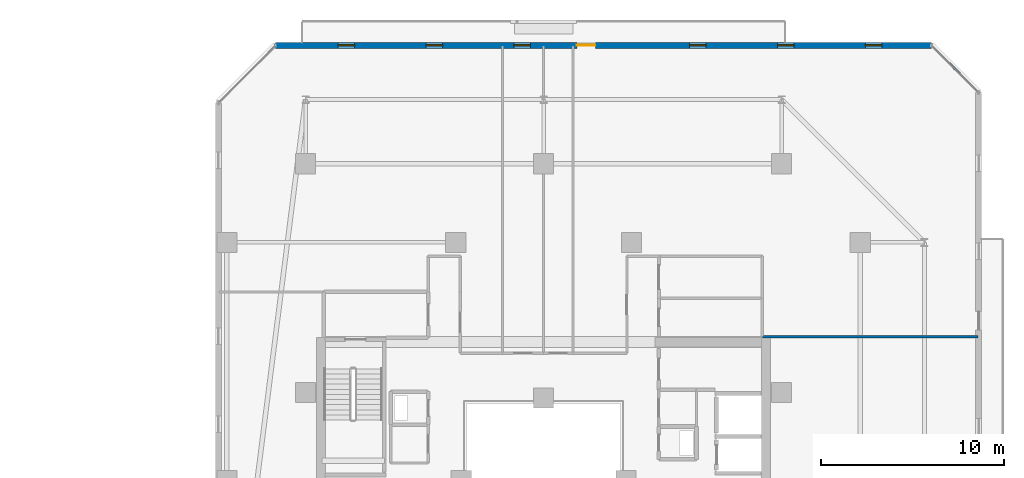
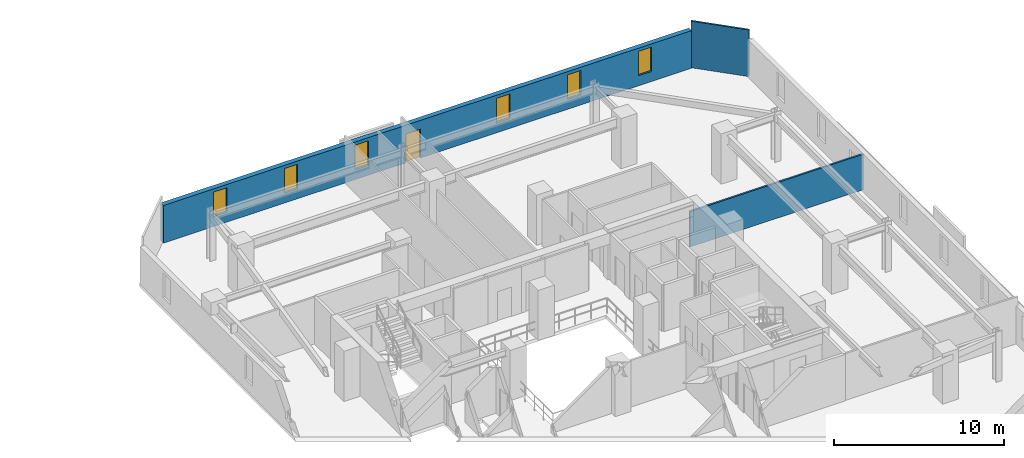
# One storey, part 26 of 33: 6 windows, 3 walls, 1 door, 7 openings.
"""IFC4 building model written with IfcOpenShell, lengths in metres."""

import ifcopenshell
import ifcopenshell.guid

model = None  # the IFC model being written
_history = None  # IfcOwnerHistory: only IFC2X3 demands one
_inside = {}  # id of a spatial element -> (the spatial element, [elements in it])
_under = {}  # id of a project, library or spatial element -> (it, [spatial elements below it])
_declared = {}  # id of a project -> (the project, [libraries it declares])
_typed = {}  # id of a type object -> (the type object, [elements of that type])
_made_of = {}  # id of a material, layer set ... -> (it, [elements and type objects made of it])


def new_model(schema):
    """Start an empty IFC model of exactly this schema.

    Asked for "IFC4X3", IfcOpenShell would pick the latest addendum, in which some entities
    have other attributes; the version numbers below select the first issue.
    IFC2X3 requires an IfcOwnerHistory on every rooted entity: one is made here for all.
    """
    global model, _history
    if schema == "IFC4X3":
        model = ifcopenshell.file(schema_version=(4, 3, 0, 0))
    else:
        model = ifcopenshell.file(schema=schema)
    _inside.clear()
    _under.clear()
    _declared.clear()
    _typed.clear()
    _made_of.clear()
    _history = None
    if model.schema == "IFC2X3":
        org = make("IfcOrganization", Name="unknown")
        user = make(
            "IfcPersonAndOrganization",
            ThePerson=make("IfcPerson", FamilyName="unknown"),
            TheOrganization=org,
        )
        app = make(
            "IfcApplication",
            ApplicationDeveloper=org,
            Version="unknown",
            ApplicationFullName="unknown",
            ApplicationIdentifier="unknown",
        )
        _history = make(
            "IfcOwnerHistory",
            OwningUser=user,
            OwningApplication=app,
            ChangeAction="ADDED",
            CreationDate=0,
        )
    return model


def make(cls, **values):
    """One entity of the class cls with the attributes given. An attribute that is None is left unset."""
    return model.create_entity(
        cls, **{name: value for name, value in values.items() if value is not None}
    )


def rooted(cls, **values):
    """An entity with a GlobalId (a new one), such as an element, a storey or a relation."""
    return make(cls, GlobalId=ifcopenshell.guid.new(), OwnerHistory=_history, **values)


def si_unit(unit_type, name, prefix=None):
    """IfcSIUnit, for example si_unit("LENGTHUNIT", "METRE", prefix="MILLI")."""
    return make("IfcSIUnit", UnitType=unit_type, Prefix=prefix, Name=name)


def assignment(units):
    """IfcUnitAssignment: the units of a project."""
    return None if units is None else make("IfcUnitAssignment", Units=units)


def point(xyz):
    """IfcCartesianPoint."""
    return None if xyz is None else make("IfcCartesianPoint", Coordinates=xyz)


def direction(xyz):
    """IfcDirection."""
    return None if xyz is None else make("IfcDirection", DirectionRatios=xyz)


def frame(location, z_axis=None, x_axis=None):
    """IfcAxis2Placement3D, a coordinate frame: its origin and axes. An axis left out is left unset."""
    return make(
        "IfcAxis2Placement3D",
        Location=point(location),
        Axis=direction(z_axis),
        RefDirection=direction(x_axis),
    )


def frame_2d(location, x_axis=None):
    """IfcAxis2Placement2D, a coordinate frame in the plane: its origin and x axis."""
    return make(
        "IfcAxis2Placement2D", Location=point(location), RefDirection=direction(x_axis)
    )


def origin():
    """The frame at (0, 0, 0) with its axes left unset."""
    return frame((0.0, 0.0, 0.0))


def place(relative_to, where):
    """IfcLocalPlacement: puts the frame where relative to a parent placement (None: the world)."""
    return make(
        "IfcLocalPlacement", PlacementRelTo=relative_to, RelativePlacement=where
    )


def context(
    kind, dimensions, precision=None, world=None, true_north=None, identifier=None
):
    """IfcGeometricRepresentationContext, for example the 3D "Model" context."""
    return make(
        "IfcGeometricRepresentationContext",
        ContextIdentifier=identifier,
        ContextType=kind,
        CoordinateSpaceDimension=dimensions,
        Precision=precision,
        WorldCoordinateSystem=world,
        TrueNorth=true_north,
    )


def subcontext(parent, identifier, kind, view, scale=None):
    """IfcGeometricRepresentationSubContext, for example "Body" below "Model"."""
    return make(
        "IfcGeometricRepresentationSubContext",
        ContextIdentifier=identifier,
        ContextType=kind,
        ParentContext=parent,
        TargetScale=scale,
        TargetView=view,
    )


def project(units=None, contexts=None):
    """IfcProject with its units and contexts."""
    return rooted(
        "IfcProject",
        Name="project",
        RepresentationContexts=contexts,
        UnitsInContext=assignment(units),
    )


def spatial(cls, under=None, at=None, **own):
    """A site, building, storey or space (cls), placed at a placement, below another one or the project."""
    s = rooted(cls, ObjectPlacement=at, **own)
    if under is not None:
        _under.setdefault(under.id(), (under, []))[1].append(s)
    return s


def profile(cls, at=None, kind="AREA", **sizes):
    """A parametric profile (cls). Its sizes go by their IFC names, for example OverallWidth=200.0."""
    return make(cls, ProfileType=kind, Position=at, **sizes)


def rectangle(**sizes):
    """IfcRectangleProfileDef."""
    return profile("IfcRectangleProfileDef", **sizes)


def extrude(swept, where, along, depth):
    """IfcExtrudedAreaSolid: the profile swept, set in the frame where, extruded along a direction by depth."""
    return make(
        "IfcExtrudedAreaSolid",
        SweptArea=swept,
        Position=where,
        ExtrudedDirection=direction(along),
        Depth=depth,
    )


def shape(context_of_items, identifier, shape_type, items):
    """IfcShapeRepresentation: the items that make up one representation, for example the "Body"."""
    return make(
        "IfcShapeRepresentation",
        ContextOfItems=context_of_items,
        RepresentationIdentifier=identifier,
        RepresentationType=shape_type,
        Items=items,
    )


def material(Name=None, Category=None):
    """IfcMaterial."""
    return make("IfcMaterial", Name=Name, Category=Category)


def layer(
    of_material, thickness, ventilated=None, Name=None, Category=None, Priority=None
):
    """IfcMaterialLayer: one layer of a wall or slab, of a material (None: an air gap)."""
    return make(
        "IfcMaterialLayer",
        Material=of_material,
        LayerThickness=thickness,
        IsVentilated=ventilated,
        Name=Name,
        Category=Category,
        Priority=Priority,
    )


def layer_set(layers, Name=None):
    """IfcMaterialLayerSet."""
    return make("IfcMaterialLayerSet", MaterialLayers=layers, LayerSetName=Name)


def made_of(thing, what):
    """Note that an element or type object is made of a material, layer set ...; save() writes the relation."""
    if what is not None:
        _made_of.setdefault(what.id(), (what, []))[1].append(thing)
    return thing


def type_object(cls, material=None, **own):
    """A type object (cls), such as IfcWallType, which elements share."""
    return made_of(rooted(cls, **own), material)


def element(
    cls,
    number,
    at=None,
    inside=None,
    cuts=None,
    type_object=None,
    material=None,
    context=None,
    identifier="Body",
    shape_type=None,
    held_by="IfcProductDefinitionShape",
    body=None,
    shapes=None,
    **own,
):
    """One element of the class cls, such as IfcWall. Its Tag is "e" and its number.

    at: its placement. inside: the storey or other place that contains it. cuts: it is an
    opening in that element (IfcRelVoidsElement). A single representation is given by context,
    identifier, shape_type and body (its items); several are given by shapes. held_by: the class
    of the entity that holds the representations. save() writes the other relations.
    """
    e = rooted(cls, Tag="e%d" % number, ObjectPlacement=at, **own)
    if body is not None:
        shapes = [shape(context, identifier, shape_type, body)]
    if shapes is not None:
        e.Representation = make(held_by, Representations=shapes)
    if inside is not None:
        _inside.setdefault(inside.id(), (inside, []))[1].append(e)
    if cuts is not None:
        rooted(
            "IfcRelVoidsElement", RelatingBuildingElement=cuts, RelatedOpeningElement=e
        )
    if type_object is not None:
        _typed.setdefault(type_object.id(), (type_object, []))[1].append(e)
    return made_of(e, material)


def fill(opening, filler):
    """IfcRelFillsElement: the door or window that sits in an opening."""
    return rooted(
        "IfcRelFillsElement",
        RelatingOpeningElement=opening,
        RelatedBuildingElement=filler,
    )


def aggregate(whole, parts):
    """IfcRelAggregates: a whole, such as a stair, and the parts it consists of."""
    return rooted("IfcRelAggregates", RelatingObject=whole, RelatedObjects=parts)


def save(model, path):
    """Write the relations noted so far, then the file.

    IfcRelAggregates (storeys below a building ...), IfcRelContainedInSpatialStructure (elements
    in a storey), IfcRelDefinesByType, IfcRelAssociatesMaterial and IfcRelDeclares: one each for
    every whole, place, type object, material and project.
    """
    for whole, parts in _under.values():
        aggregate(whole, parts)
    for where, things in _inside.values():
        rooted(
            "IfcRelContainedInSpatialStructure",
            RelatedElements=things,
            RelatingStructure=where,
        )
    for kind, things in _typed.values():
        rooted("IfcRelDefinesByType", RelatedObjects=things, RelatingType=kind)
    for what, things in _made_of.values():
        rooted("IfcRelAssociatesMaterial", RelatedObjects=things, RelatingMaterial=what)
    for by, libraries in _declared.values():
        rooted("IfcRelDeclares", RelatingContext=by, RelatedDefinitions=libraries)
    model.write(path)


model = new_model("IFC4")

# Units and contexts
model_context = context("Model", 3, precision=1e-05, world=origin(), true_north=direction((0.0, 1.0)))
body_context = subcontext(model_context, "Body", "Model", "MODEL_VIEW")
ifc_project = project(units=[si_unit("LENGTHUNIT", "METRE"), si_unit("AREAUNIT", "SQUARE_METRE"), si_unit("VOLUMEUNIT", "CUBIC_METRE"), si_unit("PLANEANGLEUNIT", "RADIAN"), si_unit("MASSUNIT", "GRAM", prefix="KILO")], contexts=[model_context])

# Site, building, storey
site_placement = place(None, origin())
site = spatial("IfcSite", under=ifc_project, at=site_placement, CompositionType="ELEMENT")
building_placement = place(site_placement, origin())
building = spatial("IfcBuilding", under=site, at=building_placement, Name="Thornwick Lancets Civic Towers", CompositionType="ELEMENT")
storey_placement = place(building_placement, frame((0.0, 0.0, 163.5)))
storey = spatial("IfcBuildingStorey", under=building, at=storey_placement, Name="L43", CompositionType="ELEMENT", Elevation=163.5)

# Wall, openings, door, windows
ifc_material_1 = material(Name="Insulated buff terracotta rainscreen on concrete C40/50", Category="masonry")
ifc_layer_1 = layer(ifc_material_1, 0.320068359375, Name="Insulated buff terracotta rainscreen on concrete C40/50")
ifc_layer_set_1 = layer_set([ifc_layer_1], Name="Insulated buff terracotta rainscreen on concrete C40/50")
wall_type_1 = type_object("IfcWallType", Name="WALL_EXT_TERRA_320", PredefinedType="STANDARD", material=ifc_layer_set_1)
wall_1_placement = place(storey_placement, frame((109.681396484375, 50.7646484375, 0.0), z_axis=(0.0, 0.0, 1.0), x_axis=(-0.999999998513, -5.4540124e-05, 0.0)))
wall_1 = element("IfcWall", 1, at=wall_1_placement, inside=storey, type_object=wall_type_1, Name="L43 Tower B Terracotta Facade Wall E4", PredefinedType="STANDARD", context=body_context, shape_type="SweptSolid", body=[
    extrude(rectangle(XDim=35.810791015625, YDim=0.320068359375, at=frame_2d((17.9052734375, 0.0))), origin(), (0.0, 0.0, 1.0), 2.699951171875),
])
opening_1_placement = place(wall_1_placement, frame((18.35546875, 0.0, 0.0)))
opening_1 = element("IfcOpeningElement", 2, at=opening_1_placement, cuts=wall_1, Name="Opening D-BL-L43-BN", PredefinedType="OPENING", context=body_context, shape_type="SweptSolid", body=[
    extrude(rectangle(XDim=1.0, YDim=2.080078125, at=frame_2d((0.5, 1.0400390625))), frame((0.0, 0.169921875, 0.0), z_axis=(0.0, -1.0, 0.0), x_axis=(1.0, 0.0, 0.0)), (0.0, 0.0, 1.0), 0.340087890625),
])
opening_2_placement = place(wall_1_placement, frame((2.699951171875, 0.0, 0.719970703125)))
opening_2 = element("IfcOpeningElement", 3, at=opening_2_placement, cuts=wall_1, Name="Opening WL-01", PredefinedType="OPENING", context=body_context, shape_type="SweptSolid", body=[
    extrude(rectangle(XDim=0.89990234375, YDim=1.75, at=frame_2d((0.449951171875, 0.875))), frame((0.0, 0.169921875, 0.0), z_axis=(0.0, -1.0, 0.0), x_axis=(1.0, 0.0, 0.0)), (0.0, 0.0, 1.0), 0.340087890625),
])
opening_3_placement = place(wall_1_placement, frame((7.5, 0.0, 0.719970703125)))
opening_3 = element("IfcOpeningElement", 4, at=opening_3_placement, cuts=wall_1, Name="Opening WL-01", PredefinedType="OPENING", context=body_context, shape_type="SweptSolid", body=[
    extrude(rectangle(XDim=0.89990234375, YDim=1.75, at=frame_2d((0.449951171875, 0.875))), frame((0.0, 0.169921875, 0.0), z_axis=(0.0, -1.0, 0.0), x_axis=(1.0, 0.0, 0.0)), (0.0, 0.0, 1.0), 0.340087890625),
])
opening_4_placement = place(wall_1_placement, frame((12.300048828125, 0.0, 0.719970703125)))
opening_4 = element("IfcOpeningElement", 5, at=opening_4_placement, cuts=wall_1, Name="Opening WL-01", PredefinedType="OPENING", context=body_context, shape_type="SweptSolid", body=[
    extrude(rectangle(XDim=0.89990234375, YDim=1.75, at=frame_2d((0.449951171875, 0.875))), frame((0.0, 0.169921875, 0.0), z_axis=(0.0, -1.0, 0.0), x_axis=(1.0, 0.0, 0.0)), (0.0, 0.0, 1.0), 0.340087890625),
])
opening_5_placement = place(wall_1_placement, frame((21.89990234375, 0.0, 0.719970703125)))
opening_5 = element("IfcOpeningElement", 6, at=opening_5_placement, cuts=wall_1, Name="Opening WL-01", PredefinedType="OPENING", context=body_context, shape_type="SweptSolid", body=[
    extrude(rectangle(XDim=0.89990234375, YDim=1.75, at=frame_2d((0.449951171875, 0.875))), frame((0.0, 0.169921875, 0.0), z_axis=(0.0, -1.0, 0.0), x_axis=(1.0, 0.0, 0.0)), (0.0, 0.0, 1.0), 0.340087890625),
])
opening_6_placement = place(wall_1_placement, frame((26.699951171875, 0.0, 0.719970703125)))
opening_6 = element("IfcOpeningElement", 7, at=opening_6_placement, cuts=wall_1, Name="Opening WL-01", PredefinedType="OPENING", context=body_context, shape_type="SweptSolid", body=[
    extrude(rectangle(XDim=0.89990234375, YDim=1.75, at=frame_2d((0.449951171875, 0.875))), frame((0.0, 0.169921875, 0.0), z_axis=(0.0, -1.0, 0.0), x_axis=(1.0, 0.0, 0.0)), (0.0, 0.0, 1.0), 0.340087890625),
])
opening_7_placement = place(wall_1_placement, frame((31.5, 0.0, 0.719970703125)))
opening_7 = element("IfcOpeningElement", 8, at=opening_7_placement, cuts=wall_1, Name="Opening WL-01", PredefinedType="OPENING", context=body_context, shape_type="SweptSolid", body=[
    extrude(rectangle(XDim=0.89990234375, YDim=1.75, at=frame_2d((0.449951171875, 0.875))), frame((0.0, 0.169921875, 0.0), z_axis=(0.0, -1.0, 0.0), x_axis=(1.0, 0.0, 0.0)), (0.0, 0.0, 1.0), 0.340087890625),
])
ifc_material_2 = material(Name="Thermally broken glazed loggia doorset")
door_type = type_object("IfcDoorType", Name="DOOR_BALC_1000", OperationType="NOTDEFINED", PredefinedType="DOOR", material=ifc_material_2)
door_placement = place(opening_1_placement, origin())
door = element("IfcDoor", 9, at=door_placement, inside=storey, type_object=door_type, Name="L43 Tower B Loggia Balcony Door N", OperationType="SINGLE_SWING_RIGHT", OverallHeight=2.080078125, OverallWidth=1.0, PredefinedType="DOOR", context=body_context, shape_type="SweptSolid", body=[
    extrude(rectangle(XDim=1.0, YDim=2.080078125, at=frame_2d((0.5, 1.0400390625))), frame((0.0, 0.02490234375, 0.0), z_axis=(0.0, -1.0, 0.0), x_axis=(1.0, 0.0, 0.0)), (0.0, 0.0, 1.0), 0.050048828125),
])
fill(opening_1, door)
ifc_material_3 = material(Name="Clear low-e double glazing in bronze frame", Category="glass")
window_type = type_object("IfcWindowType", Name="WIN_LANCET_900", PartitioningType="SINGLE_PANEL", PredefinedType="WINDOW", material=ifc_material_3)
window_1_placement = place(opening_2_placement, origin())
window_1 = element("IfcWindow", 10, at=window_1_placement, inside=storey, type_object=window_type, Name="L43 Tower B Staggered Lancet Window E4-1", OverallHeight=1.75, OverallWidth=0.89990234375, PartitioningType="SINGLE_PANEL", PredefinedType="WINDOW", context=body_context, shape_type="SweptSolid", body=[
    extrude(rectangle(XDim=0.89990234375, YDim=1.75, at=frame_2d((0.449951171875, 0.875))), frame((0.0, 0.030029296875, 0.0), z_axis=(0.0, -1.0, 0.0), x_axis=(1.0, 0.0, 0.0)), (0.0, 0.0, 1.0), 0.06005859375),
])
fill(opening_2, window_1)
window_2_placement = place(opening_3_placement, origin())
window_2 = element("IfcWindow", 11, at=window_2_placement, inside=storey, type_object=window_type, Name="L43 Tower B Staggered Lancet Window E4-2", OverallHeight=1.75, OverallWidth=0.89990234375, PartitioningType="SINGLE_PANEL", PredefinedType="WINDOW", context=body_context, shape_type="SweptSolid", body=[
    extrude(rectangle(XDim=0.89990234375, YDim=1.75, at=frame_2d((0.449951171875, 0.875))), frame((0.0, 0.030029296875, 0.0), z_axis=(0.0, -1.0, 0.0), x_axis=(1.0, 0.0, 0.0)), (0.0, 0.0, 1.0), 0.06005859375),
])
fill(opening_3, window_2)
window_3_placement = place(opening_4_placement, origin())
window_3 = element("IfcWindow", 12, at=window_3_placement, inside=storey, type_object=window_type, Name="L43 Tower B Staggered Lancet Window E4-3", OverallHeight=1.75, OverallWidth=0.89990234375, PartitioningType="SINGLE_PANEL", PredefinedType="WINDOW", context=body_context, shape_type="SweptSolid", body=[
    extrude(rectangle(XDim=0.89990234375, YDim=1.75, at=frame_2d((0.449951171875, 0.875))), frame((0.0, 0.030029296875, 0.0), z_axis=(0.0, -1.0, 0.0), x_axis=(1.0, 0.0, 0.0)), (0.0, 0.0, 1.0), 0.06005859375),
])
fill(opening_4, window_3)
window_4_placement = place(opening_5_placement, origin())
window_4 = element("IfcWindow", 13, at=window_4_placement, inside=storey, type_object=window_type, Name="L43 Tower B Staggered Lancet Window E4-4", OverallHeight=1.75, OverallWidth=0.89990234375, PartitioningType="SINGLE_PANEL", PredefinedType="WINDOW", context=body_context, shape_type="SweptSolid", body=[
    extrude(rectangle(XDim=0.89990234375, YDim=1.75, at=frame_2d((0.449951171875, 0.875))), frame((0.0, 0.030029296875, 0.0), z_axis=(0.0, -1.0, 0.0), x_axis=(1.0, 0.0, 0.0)), (0.0, 0.0, 1.0), 0.06005859375),
])
fill(opening_5, window_4)
window_5_placement = place(opening_6_placement, origin())
window_5 = element("IfcWindow", 14, at=window_5_placement, inside=storey, type_object=window_type, Name="L43 Tower B Staggered Lancet Window E4-5", OverallHeight=1.75, OverallWidth=0.89990234375, PartitioningType="SINGLE_PANEL", PredefinedType="WINDOW", context=body_context, shape_type="SweptSolid", body=[
    extrude(rectangle(XDim=0.89990234375, YDim=1.75, at=frame_2d((0.449951171875, 0.875))), frame((0.0, 0.030029296875, 0.0), z_axis=(0.0, -1.0, 0.0), x_axis=(1.0, 0.0, 0.0)), (0.0, 0.0, 1.0), 0.06005859375),
])
fill(opening_6, window_5)
window_6_placement = place(opening_7_placement, origin())
window_6 = element("IfcWindow", 15, at=window_6_placement, inside=storey, type_object=window_type, Name="L43 Tower B Staggered Lancet Window E4-6", OverallHeight=1.75, OverallWidth=0.89990234375, PartitioningType="SINGLE_PANEL", PredefinedType="WINDOW", context=body_context, shape_type="SweptSolid", body=[
    extrude(rectangle(XDim=0.89990234375, YDim=1.75, at=frame_2d((0.449951171875, 0.875))), frame((0.0, 0.030029296875, 0.0), z_axis=(0.0, -1.0, 0.0), x_axis=(1.0, 0.0, 0.0)), (0.0, 0.0, 1.0), 0.06005859375),
])
fill(opening_7, window_6)

# Walls
ifc_material_4 = material(Name="Acoustic gypsum board partition")
ifc_layer_2 = layer(ifc_material_4, 0.1201171875, Name="Acoustic gypsum board partition")
ifc_layer_set_2 = layer_set([ifc_layer_2], Name="Acoustic gypsum board partition")
wall_type_2 = type_object("IfcWallType", Name="WALL_PART_120", PredefinedType="PARTITIONING", material=ifc_layer_set_2)
wall_2_placement = place(storey_placement, frame((109.725341796875, 50.719970703125, 0.0), z_axis=(0.0, 0.0, 1.0), x_axis=(0.707106781187, -0.707106781187, 0.0)))
element("IfcWall", 16, at=wall_2_placement, inside=storey, type_object=wall_type_2, Name="L43 Partition L43-B-E1 E9", PredefinedType="PARTITIONING", context=body_context, shape_type="SweptSolid", body=[
    extrude(rectangle(XDim=3.52783203125, YDim=0.1201171875, at=frame_2d((1.763916015625, 0.0))), origin(), (0.0, 0.0, 1.0), 3.340087890625),
])
wall_3_placement = place(storey_placement, frame((112.219970703125, 34.85009765625, 0.0), z_axis=(0.0, 0.0, 1.0), x_axis=(-1.0, 0.0, 0.0)))
element("IfcWall", 17, at=wall_3_placement, inside=storey, type_object=wall_type_2, Name="L43 Partition L43-B-E1 E11", PredefinedType="PARTITIONING", context=body_context, shape_type="SweptSolid", body=[
    extrude(rectangle(XDim=11.77001953125, YDim=0.1201171875, at=frame_2d((5.885009765625, 0.0))), origin(), (0.0, 0.0, 1.0), 2.544921875),
])

save(model, "model.ifc")
